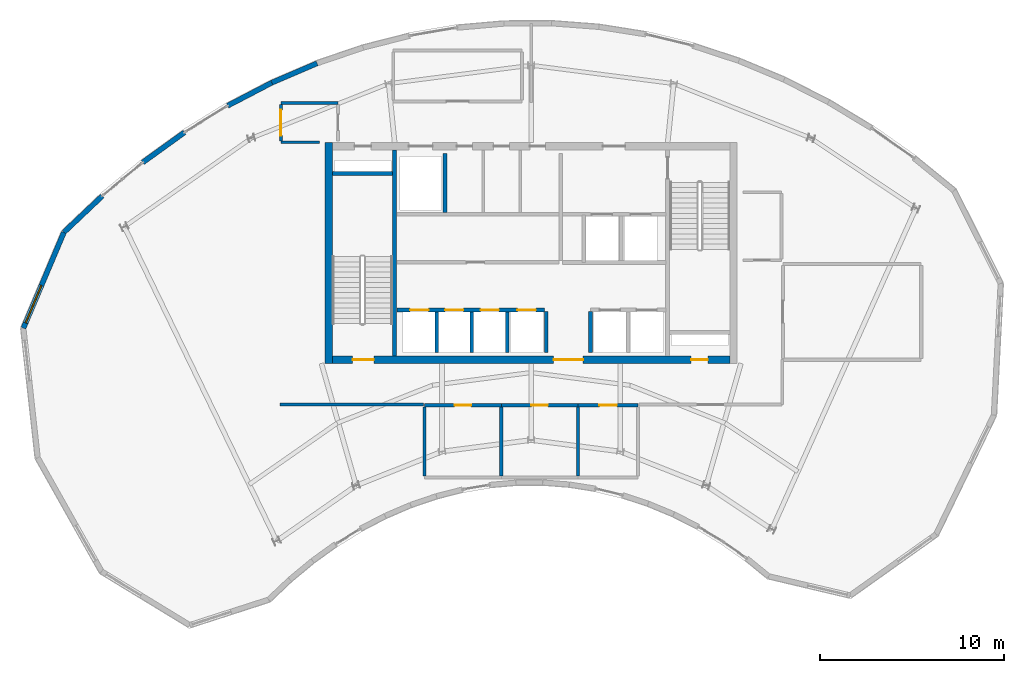
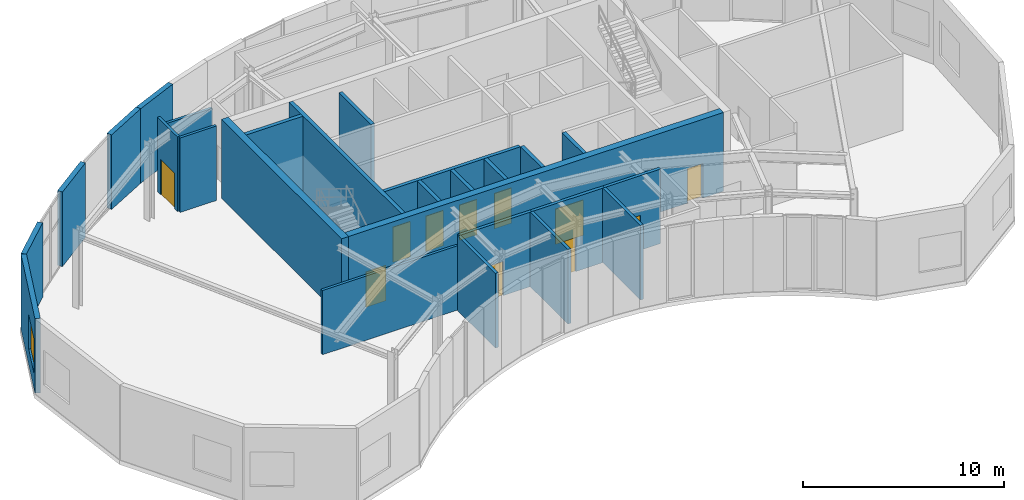
# One storey, part 6 of 10: 26 walls, 11 doors, 1 window, 12 openings.
"""IFC4 building model written with IfcOpenShell, lengths in metres."""

from ifc_helpers import new_model, si_unit, direction, frame, frame_2d, origin, place, context, subcontext, project, spatial, rectangle, extrude, source, transform, mapped, material, layer, layer_set, type_object, type_shapes, element, fill, save


model = new_model("IFC4")

# Units and contexts
model_context = context("Model", 3, precision=1e-05, world=origin(), true_north=direction((0.0, 1.0)))
body_context = subcontext(model_context, "Body", "Model", "MODEL_VIEW")
ifc_project = project(units=[si_unit("LENGTHUNIT", "METRE"), si_unit("AREAUNIT", "SQUARE_METRE"), si_unit("VOLUMEUNIT", "CUBIC_METRE"), si_unit("PLANEANGLEUNIT", "RADIAN"), si_unit("MASSUNIT", "GRAM", prefix="KILO")], contexts=[model_context])

# Site, building, storey
site_placement = place(None, origin())
site = spatial("IfcSite", under=ifc_project, at=site_placement, CompositionType="ELEMENT")
building_placement = place(site_placement, origin())
building = spatial("IfcBuilding", under=site, at=building_placement, Name="Breltana Convention Tower", CompositionType="ELEMENT")
storey_placement = place(building_placement, frame((0.0, 0.0, 303.0)))
storey = spatial("IfcBuildingStorey", under=building, at=storey_placement, Name="L74", CompositionType="ELEMENT", Elevation=303.0)

# Walls
ifc_material_1 = material(Name="Concrete C50/60", Category="concrete")
ifc_layer_1 = layer(ifc_material_1, 0.39990234375, Name="Concrete C50/60")
ifc_layer_set_1 = layer_set([ifc_layer_1], Name="Concrete C50/60")
wall_type_1 = type_object("IfcWallType", Name="SW-CORE-400", PredefinedType="SHEAR", material=ifc_layer_set_1)
shared_shape_1 = source(origin(), body_context, "Body", "SweptSolid", [
    extrude(rectangle(XDim=3.27001953125, YDim=0.219970703125, at=frame_2d((1.635009765625, 0.0))), origin(), (0.0, 0.0, 1.0), 4.800048828125),
])
wall_1_placement = place(storey_placement, frame((37.199951171875, 70.510009765625, 0.0), z_axis=(0.0, 0.0, 1.0), x_axis=(1.0, 0.0, 0.0)))
element("IfcWall", 1, at=wall_1_placement, inside=storey, type_object=wall_type_1, Name="L74 ST-1 Stairwell North Bearing Wall", PredefinedType="SHEAR", context=body_context, shape_type="MappedRepresentation", body=[
    mapped(shared_shape_1, transform((0.0, 0.0, 0.0), scale=1.0)),
])
shared_shape_2 = source(origin(), body_context, "Body", "SweptSolid", [
    extrude(rectangle(XDim=12.0, YDim=0.39990234375, at=frame_2d((6.0, 0.0))), origin(), (0.0, 0.0, 1.0), 4.800048828125),
])
wall_2_placement = place(storey_placement, frame((37.0, 60.199951171875, 0.0), z_axis=(0.0, 0.0, 1.0), x_axis=(0.0, 1.0, 0.0)))
element("IfcWall", 2, at=wall_2_placement, inside=storey, type_object=wall_type_1, Name="L74 West Core Shear Wall", PredefinedType="SHEAR", context=body_context, shape_type="MappedRepresentation", body=[
    mapped(shared_shape_2, transform((0.0, 0.0, 0.0), scale=1.0)),
])

# Wall, openings, doors
shared_shape_3 = source(origin(), body_context, "Body", "SweptSolid", [
    extrude(rectangle(XDim=21.60009765625, YDim=0.39990234375, at=frame_2d((10.800048828125, 0.0))), origin(), (0.0, 0.0, 1.0), 4.800048828125),
])
wall_3_placement = place(storey_placement, frame((37.199951171875, 60.39990234375, 0.0), z_axis=(0.0, 0.0, 1.0), x_axis=(1.0, 0.0, 0.0)))
wall_3 = element("IfcWall", 3, at=wall_3_placement, inside=storey, type_object=wall_type_1, Name="L74 South Core Shear Wall", PredefinedType="SHEAR", context=body_context, shape_type="MappedRepresentation", body=[
    mapped(shared_shape_3, transform((0.0, 0.0, 0.0), scale=1.0)),
])
opening_1_placement = place(wall_3_placement, frame((1.10009765625, 0.0, 0.0)))
opening_1 = element("IfcOpeningElement", 4, at=opening_1_placement, cuts=wall_3, Name="Opening D-11", PredefinedType="OPENING", context=body_context, shape_type="SweptSolid", body=[
    extrude(rectangle(XDim=1.14990234375, YDim=2.14990234375, at=frame_2d((0.574951171875, 1.074951171875))), frame((0.0, 0.2099609375, 0.0), z_axis=(0.0, -1.0, 0.0), x_axis=(1.0, 0.0, 0.0)), (0.0, 0.0, 1.0), 0.419921875),
])
opening_2_placement = place(wall_3_placement, frame((19.5, 0.0, 0.0)))
opening_2 = element("IfcOpeningElement", 5, at=opening_2_placement, cuts=wall_3, Name="Opening D-18", PredefinedType="OPENING", context=body_context, shape_type="SweptSolid", body=[
    extrude(rectangle(XDim=0.89990234375, YDim=2.10009765625, at=frame_2d((0.449951171875, 1.050048828125))), frame((0.0, 0.2099609375, 0.0), z_axis=(0.0, -1.0, 0.0), x_axis=(1.0, 0.0, 0.0)), (0.0, 0.0, 1.0), 0.419921875),
])
opening_3_placement = place(wall_3_placement, frame((12.02001953125, 0.0, 0.0)))
opening_3 = element("IfcOpeningElement", 6, at=opening_3_placement, cuts=wall_3, Name="Opening D-02", PredefinedType="OPENING", context=body_context, shape_type="SweptSolid", body=[
    extrude(rectangle(XDim=1.60009765625, YDim=2.14990234375, at=frame_2d((0.800048828125, 1.074951171875))), frame((0.0, 0.2099609375, 0.0), z_axis=(0.0, -1.0, 0.0), x_axis=(1.0, 0.0, 0.0)), (0.0, 0.0, 1.0), 0.419921875),
])
ifc_material_2 = material(Name="Steel Stair Exit Door", Category="steel")
door_type_1 = type_object("IfcDoorType", Name="DR-FD120-1150", OperationType="NOTDEFINED", PredefinedType="DOOR", material=ifc_material_2)
shared_shape_4 = source(origin(), body_context, "Body", "SweptSolid", [
    extrude(rectangle(XDim=1.14990234375, YDim=2.14990234375, at=frame_2d((0.574951171875, 1.074951171875))), frame((0.0, 0.02490234375, 0.0), z_axis=(0.0, -1.0, 0.0), x_axis=(1.0, 0.0, 0.0)), (0.0, 0.0, 1.0), 0.050048828125),
])
type_shapes(door_type_1, [shared_shape_4])
door_1_placement = place(opening_1_placement, origin())
door_1 = element("IfcDoor", 7, at=door_1_placement, inside=storey, type_object=door_type_1, Name="L74 interior door D-L74-ST1", OperationType="SINGLE_SWING_LEFT", OverallHeight=2.14990234375, OverallWidth=1.14990234375, PredefinedType="DOOR", context=body_context, shape_type="MappedRepresentation", body=[
    mapped(shared_shape_4, transform((0.0, 0.0, 0.0), scale=1.0)),
])
fill(opening_1, door_1)
ifc_material_3 = material(Name="Steel Riser Fire Door", Category="steel")
door_type_2 = type_object("IfcDoorType", Name="DR-FD60-900", OperationType="NOTDEFINED", PredefinedType="DOOR", material=ifc_material_3)
shared_shape_5 = source(origin(), body_context, "Body", "SweptSolid", [
    extrude(rectangle(XDim=0.89990234375, YDim=2.10009765625, at=frame_2d((0.449951171875, 1.050048828125))), frame((0.0, 0.02490234375, 0.0), z_axis=(0.0, -1.0, 0.0), x_axis=(1.0, 0.0, 0.0)), (0.0, 0.0, 1.0), 0.050048828125),
])
type_shapes(door_type_2, [shared_shape_5])
door_2_placement = place(opening_2_placement, origin())
door_2 = element("IfcDoor", 8, at=door_2_placement, inside=storey, type_object=door_type_2, Name="L74 Core Riser Access Door D-L74-RS2", OperationType="SINGLE_SWING_RIGHT", OverallHeight=2.10009765625, OverallWidth=0.89990234375, PredefinedType="DOOR", context=body_context, shape_type="MappedRepresentation", body=[
    mapped(shared_shape_5, transform((0.0, 0.0, 0.0), scale=1.0)),
])
fill(opening_2, door_2)
ifc_material_4 = material(Name="Steel Glazed Smoke-Control Door", Category="steel")
door_type_3 = type_object("IfcDoorType", Name="DR-DBL-FD90-1600", OperationType="DOUBLE_DOOR_SINGLE_SWING", PredefinedType="DOOR", material=ifc_material_4)
shared_shape_6 = source(origin(), body_context, "Body", "SweptSolid", [
    extrude(rectangle(XDim=1.60009765625, YDim=2.14990234375, at=frame_2d((0.800048828125, 1.074951171875))), frame((0.0, 0.02490234375, 0.0), z_axis=(0.0, -1.0, 0.0), x_axis=(1.0, 0.0, 0.0)), (0.0, 0.0, 1.0), 0.050048828125),
])
type_shapes(door_type_3, [shared_shape_6])
door_3_placement = place(opening_3_placement, origin())
door_3 = element("IfcDoor", 9, at=door_3_placement, inside=storey, type_object=door_type_3, Name="L74 interior door D-L74-LLB-S", OperationType="DOUBLE_DOOR_SINGLE_SWING", OverallHeight=2.14990234375, OverallWidth=1.60009765625, PredefinedType="DOOR", context=body_context, shape_type="MappedRepresentation", body=[
    mapped(shared_shape_6, transform((0.0, 0.0, 0.0), scale=1.0)),
])
fill(opening_3, door_3)

# Wall
shared_shape_7 = source(origin(), body_context, "Body", "SweptSolid", [
    extrude(rectangle(XDim=11.199951171875, YDim=0.219970703125, at=frame_2d((5.60009765625, 0.0))), origin(), (0.0, 0.0, 1.0), 4.800048828125),
])
wall_4_placement = place(storey_placement, frame((40.580078125, 60.60009765625, 0.0), z_axis=(0.0, 0.0, 1.0), x_axis=(0.0, 1.0, 0.0)))
element("IfcWall", 10, at=wall_4_placement, inside=storey, type_object=wall_type_1, Name="L74 Core West Stair Spine Wall", PredefinedType="SHEAR", context=body_context, shape_type="MappedRepresentation", body=[
    mapped(shared_shape_7, transform((0.0, 0.0, 0.0), scale=1.0)),
])

# Wall, opening, window
ifc_material_5 = material(Name="Limestone Buff Insulated Wall", Category="masonry")
ifc_layer_2 = layer(ifc_material_5, 0.280029296875, Name="Limestone Buff Insulated Wall")
ifc_layer_set_2 = layer_set([ifc_layer_2], Name="Limestone Buff Insulated Wall")
wall_type_2 = type_object("IfcWallType", Name="WL-EXT-NOSE-280", PredefinedType="SOLIDWALL", material=ifc_layer_set_2)
shared_shape_8 = source(origin(), body_context, "Body", "SweptSolid", [
    extrude(rectangle(XDim=5.655029296875, YDim=0.280029296875, at=frame_2d((2.82763671875, 0.0))), origin(), (0.0, 0.0, 1.0), 4.5400390625),
])
wall_5_placement = place(storey_placement, frame((20.40087890625, 62.11572265625, 0.0), z_axis=(0.0, 0.0, 1.0), x_axis=(0.389585063528, 0.920990487614, 0.0)))
wall_5 = element("IfcWall", 11, at=wall_5_placement, inside=storey, type_object=wall_type_2, Name="L74 curved limestone nose wall W6", PredefinedType="SOLIDWALL", context=body_context, shape_type="MappedRepresentation", body=[
    mapped(shared_shape_8, transform((0.0, 0.0, 0.0), scale=1.0)),
])
opening_4_placement = place(wall_5_placement, frame((0.313720703125, 0.0, 0.949951171875)))
opening_4 = element("IfcOpeningElement", 12, at=opening_4_placement, cuts=wall_5, Name="Opening W-03", PredefinedType="OPENING", context=body_context, shape_type="SweptSolid", body=[
    extrude(rectangle(XDim=2.199951171875, YDim=2.10009765625, at=frame_2d((1.10009765625, 1.050048828125))), frame((0.0, 0.14990234375, 0.0), z_axis=(0.0, -1.0, 0.0), x_axis=(1.0, 0.0, 0.0)), (0.0, 0.0, 1.0), 0.300048828125),
])
ifc_material_6 = material(Name="Glass Low-E Insulated Window", Category="glass")
window_type = type_object("IfcWindowType", Name="WN-NOSE-2200X2100", PartitioningType="TRIPLE_PANEL_VERTICAL", PredefinedType="WINDOW", material=ifc_material_6)
shared_shape_9 = source(origin(), body_context, "Body", "SweptSolid", [
    extrude(rectangle(XDim=2.199951171875, YDim=2.10009765625, at=frame_2d((1.10009765625, 1.050048828125))), frame((0.0, 0.030029296875, 0.0), z_axis=(0.0, -1.0, 0.0), x_axis=(1.0, 0.0, 0.0)), (0.0, 0.0, 1.0), 0.06005859375),
])
type_shapes(window_type, [shared_shape_9])
window_placement = place(opening_4_placement, origin())
window = element("IfcWindow", 13, at=window_placement, inside=storey, type_object=window_type, Name="L74 nose window W6", OverallHeight=2.10009765625, OverallWidth=2.199951171875, PartitioningType="TRIPLE_PANEL_VERTICAL", PredefinedType="WINDOW", context=body_context, shape_type="MappedRepresentation", body=[
    mapped(shared_shape_9, transform((0.0, 0.0, 0.0), scale=1.0)),
])
fill(opening_4, window)

# Walls
shared_shape_10 = source(origin(), body_context, "Body", "SweptSolid", [
    extrude(rectangle(XDim=2.87255859375, YDim=0.280029296875, at=frame_2d((1.436279296875, 0.0))), origin(), (0.0, 0.0, 1.0), 4.5400390625),
])
wall_6_placement = place(storey_placement, frame((22.60400390625, 67.323974609375, 0.0), z_axis=(0.0, 0.0, 1.0), x_axis=(0.72609560544, 0.687593754888, 0.0)))
element("IfcWall", 14, at=wall_6_placement, inside=storey, type_object=wall_type_2, Name="L74 curved limestone nose wall W7", PredefinedType="SOLIDWALL", context=body_context, shape_type="MappedRepresentation", body=[
    mapped(shared_shape_10, transform((0.0, 0.0, 0.0), scale=1.0)),
])
shared_shape_11 = source(origin(), body_context, "Body", "SweptSolid", [
    extrude(rectangle(XDim=2.8017578125, YDim=0.280029296875, at=frame_2d((1.40087890625, 0.0))), origin(), (0.0, 0.0, 1.0), 4.5400390625),
])
wall_7_placement = place(storey_placement, frame((26.88525390625, 71.11962890625, 0.0), z_axis=(0.0, 0.0, 1.0), x_axis=(0.811507896482, 0.584341453217, 0.0)))
element("IfcWall", 15, at=wall_7_placement, inside=storey, type_object=wall_type_2, Name="L74 curved limestone nose wall E20", PredefinedType="SOLIDWALL", context=body_context, shape_type="MappedRepresentation", body=[
    mapped(shared_shape_11, transform((0.0, 0.0, 0.0), scale=1.0)),
])
shared_shape_12 = source(origin(), body_context, "Body", "SweptSolid", [
    extrude(rectangle(XDim=2.71142578125, YDim=0.280029296875, at=frame_2d((1.355712890625, 0.0))), origin(), (0.0, 0.0, 1.0), 4.5400390625),
])
wall_8_placement = place(storey_placement, frame((31.50244140625, 74.20458984375, 0.0), z_axis=(0.0, 0.0, 1.0), x_axis=(0.886828760751, 0.462098202881, 0.0)))
element("IfcWall", 16, at=wall_8_placement, inside=storey, type_object=wall_type_2, Name="L74 curved limestone nose wall E21", PredefinedType="SOLIDWALL", context=body_context, shape_type="MappedRepresentation", body=[
    mapped(shared_shape_12, transform((0.0, 0.0, 0.0), scale=1.0)),
])
shared_shape_13 = source(origin(), body_context, "Body", "SweptSolid", [
    extrude(rectangle(XDim=2.67333984375, YDim=0.280029296875, at=frame_2d((1.336669921875, 0.0))), origin(), (0.0, 0.0, 1.0), 4.5400390625),
])
wall_9_placement = place(storey_placement, frame((33.906982421875, 75.45751953125, 0.0), z_axis=(0.0, 0.0, 1.0), x_axis=(0.919036345912, 0.394172798266, 0.0)))
element("IfcWall", 17, at=wall_9_placement, inside=storey, type_object=wall_type_2, Name="L74 curved limestone nose wall E22", PredefinedType="SOLIDWALL", context=body_context, shape_type="MappedRepresentation", body=[
    mapped(shared_shape_13, transform((0.0, 0.0, 0.0), scale=1.0)),
])
ifc_material_7 = material(Name="Autoclaved Aerated Concrete Block", Category="concrete")
ifc_layer_3 = layer(ifc_material_7, 0.199951171875, Name="Autoclaved Aerated Concrete Block")
ifc_layer_set_3 = layer_set([ifc_layer_3], Name="Autoclaved Aerated Concrete Block")
wall_type_3 = type_object("IfcWallType", Name="WL-SHAFT-200", PredefinedType="SOLIDWALL", material=ifc_layer_set_3)
shared_shape_14 = source(origin(), body_context, "Body", "SweptSolid", [
    extrude(rectangle(XDim=2.239990234375, YDim=0.199951171875, at=frame_2d((1.1201171875, 0.0))), origin(), (0.0, 0.0, 1.0), 4.5400390625),
])
for number, where, z_axis, x_axis, name in (
    (18, (48.820068359375, 60.780029296875, 0.0), (0.0, 0.0, 1.0), (0.0, 1.0, 0.0), "L74 interior partition W-L74-PORT-W"),
    (19, (51.219970703125, 60.780029296875, 0.0), (0.0, 0.0, 1.0), (0.0, 1.0, 0.0), "L74 interior partition W-L74-PORT-E"),
):
    element("IfcWall", number, at=place(storey_placement, frame(where, z_axis=z_axis, x_axis=x_axis)), inside=storey, type_object=wall_type_3, Name=name, PredefinedType="SOLIDWALL", context=body_context, shape_type="MappedRepresentation", body=[
        mapped(shared_shape_14, transform((0.0, 0.0, 0.0), scale=1.0)),
    ])
shared_shape_15 = source(origin(), body_context, "Body", "SweptSolid", [
    extrude(rectangle(XDim=3.2001953125, YDim=0.199951171875, at=frame_2d((1.60009765625, 0.0))), origin(), (0.0, 0.0, 1.0), 4.5400390625),
])
wall_10_placement = place(storey_placement, frame((43.320068359375, 68.39990234375, 0.0), z_axis=(0.0, 0.0, 1.0), x_axis=(0.0, 1.0, 0.0)))
element("IfcWall", 20, at=wall_10_placement, inside=storey, type_object=wall_type_3, Name="L74 interior partition W-L74-SV-E", PredefinedType="SOLIDWALL", context=body_context, shape_type="MappedRepresentation", body=[
    mapped(shared_shape_15, transform((0.0, 0.0, 0.0), scale=1.0)),
])

# Wall, openings, doors
shared_shape_16 = source(origin(), body_context, "Body", "SweptSolid", [
    extrude(rectangle(XDim=8.02001953125, YDim=0.199951171875, at=frame_2d((4.010009765625, 0.0))), origin(), (0.0, 0.0, 1.0), 4.5400390625),
])
wall_11_placement = place(storey_placement, frame((40.699951171875, 63.10009765625, 0.0), z_axis=(0.0, 0.0, 1.0), x_axis=(1.0, 0.0, 0.0)))
wall_11 = element("IfcWall", 21, at=wall_11_placement, inside=storey, type_object=wall_type_3, Name="L74 interior partition W-L74-SH-S-FRONT", PredefinedType="SOLIDWALL", context=body_context, shape_type="MappedRepresentation", body=[
    mapped(shared_shape_16, transform((0.0, 0.0, 0.0), scale=1.0)),
])
opening_5_placement = place(wall_11_placement, frame((0.719970703125, 0.0, 0.0)))
opening_5 = element("IfcOpeningElement", 22, at=opening_5_placement, cuts=wall_11, Name="Opening LD-04", PredefinedType="OPENING", context=body_context, shape_type="SweptSolid", body=[
    extrude(rectangle(XDim=1.0, YDim=2.14990234375, at=frame_2d((0.5, 1.074951171875))), frame((0.0, 0.10986328125, 0.0), z_axis=(0.0, -1.0, 0.0), x_axis=(1.0, 0.0, 0.0)), (0.0, 0.0, 1.0), 0.219970703125),
])
opening_6_placement = place(wall_11_placement, frame((2.6201171875, 0.0, 0.0)))
opening_6 = element("IfcOpeningElement", 23, at=opening_6_placement, cuts=wall_11, Name="Opening LD-04", PredefinedType="OPENING", context=body_context, shape_type="SweptSolid", body=[
    extrude(rectangle(XDim=1.0, YDim=2.14990234375, at=frame_2d((0.5, 1.074951171875))), frame((0.0, 0.10986328125, 0.0), z_axis=(0.0, -1.0, 0.0), x_axis=(1.0, 0.0, 0.0)), (0.0, 0.0, 1.0), 0.219970703125),
])
opening_7_placement = place(wall_11_placement, frame((4.550048828125, 0.0, 0.0)))
opening_7 = element("IfcOpeningElement", 24, at=opening_7_placement, cuts=wall_11, Name="Opening LD-04", PredefinedType="OPENING", context=body_context, shape_type="SweptSolid", body=[
    extrude(rectangle(XDim=1.0, YDim=2.14990234375, at=frame_2d((0.5, 1.074951171875))), frame((0.0, 0.10986328125, 0.0), z_axis=(0.0, -1.0, 0.0), x_axis=(1.0, 0.0, 0.0)), (0.0, 0.0, 1.0), 0.219970703125),
])
opening_8_placement = place(wall_11_placement, frame((6.550048828125, 0.0, 0.0)))
opening_8 = element("IfcOpeningElement", 25, at=opening_8_placement, cuts=wall_11, Name="Opening LD-04", PredefinedType="OPENING", context=body_context, shape_type="SweptSolid", body=[
    extrude(rectangle(XDim=1.0, YDim=2.14990234375, at=frame_2d((0.5, 1.074951171875))), frame((0.0, 0.10986328125, 0.0), z_axis=(0.0, -1.0, 0.0), x_axis=(1.0, 0.0, 0.0)), (0.0, 0.0, 1.0), 0.219970703125),
])
ifc_material_8 = material(Name="Stainless Steel Brushed", Category="steel")
door_type_4 = type_object("IfcDoorType", Name="DR-LD-PAX-1000", OperationType="DOUBLE_DOOR_SLIDING", PredefinedType="DOOR", material=ifc_material_8)
shared_shape_17 = source(origin(), body_context, "Body", "SweptSolid", [
    extrude(rectangle(XDim=1.0, YDim=2.14990234375, at=frame_2d((0.5, 1.074951171875))), frame((0.0, 0.02490234375, 0.0), z_axis=(0.0, -1.0, 0.0), x_axis=(1.0, 0.0, 0.0)), (0.0, 0.0, 1.0), 0.050048828125),
])
type_shapes(door_type_4, [shared_shape_17])
door_4_placement = place(opening_5_placement, origin())
door_4 = element("IfcDoor", 26, at=door_4_placement, inside=storey, type_object=door_type_4, Name="L74 Lift Landing Door D-L74-LD-S1", OperationType="DOUBLE_DOOR_SLIDING", OverallHeight=2.14990234375, OverallWidth=1.0, PredefinedType="DOOR", context=body_context, shape_type="MappedRepresentation", body=[
    mapped(shared_shape_17, transform((0.0, 0.0, 0.0), scale=1.0)),
])
fill(opening_5, door_4)
door_5_placement = place(opening_6_placement, origin())
door_5 = element("IfcDoor", 27, at=door_5_placement, inside=storey, type_object=door_type_4, Name="L74 Lift Landing Door D-L74-LD-S2", OperationType="DOUBLE_DOOR_SLIDING", OverallHeight=2.14990234375, OverallWidth=1.0, PredefinedType="DOOR", context=body_context, shape_type="MappedRepresentation", body=[
    mapped(shared_shape_17, transform((0.0, 0.0, 0.0), scale=1.0)),
])
fill(opening_6, door_5)
door_6_placement = place(opening_7_placement, origin())
door_6 = element("IfcDoor", 28, at=door_6_placement, inside=storey, type_object=door_type_4, Name="L74 Lift Landing Door D-L74-LD-S3", OperationType="DOUBLE_DOOR_SLIDING", OverallHeight=2.14990234375, OverallWidth=1.0, PredefinedType="DOOR", context=body_context, shape_type="MappedRepresentation", body=[
    mapped(shared_shape_17, transform((0.0, 0.0, 0.0), scale=1.0)),
])
fill(opening_7, door_6)
door_7_placement = place(opening_8_placement, origin())
door_7 = element("IfcDoor", 29, at=door_7_placement, inside=storey, type_object=door_type_4, Name="L74 Lift Landing Door D-L74-LD-S4", OperationType="DOUBLE_DOOR_SLIDING", OverallHeight=2.14990234375, OverallWidth=1.0, PredefinedType="DOOR", context=body_context, shape_type="MappedRepresentation", body=[
    mapped(shared_shape_17, transform((0.0, 0.0, 0.0), scale=1.0)),
])
fill(opening_8, door_7)

# Walls
shared_shape_18 = source(origin(), body_context, "Body", "SweptSolid", [
    extrude(rectangle(XDim=2.199951171875, YDim=0.199951171875, at=frame_2d((1.10009765625, 0.0))), origin(), (0.0, 0.0, 1.0), 4.5400390625),
])
for number, where, z_axis, x_axis, name in (
    (30, (42.8701171875, 60.800048828125, 0.0), (0.0, 0.0, 1.0), (0.0, 1.0, 0.0), "L74 interior partition W-L74-SH-S-DIV1"),
    (31, (44.77001953125, 60.800048828125, 0.0), (0.0, 0.0, 1.0), (0.0, 1.0, 0.0), "L74 interior partition W-L74-SH-S-DIV2"),
    (32, (46.699951171875, 60.800048828125, 0.0), (0.0, 0.0, 1.0), (0.0, 1.0, 0.0), "L74 interior partition W-L74-SH-S-DIV3"),
):
    element("IfcWall", number, at=place(storey_placement, frame(where, z_axis=z_axis, x_axis=x_axis)), inside=storey, type_object=wall_type_3, Name=name, PredefinedType="SOLIDWALL", context=body_context, shape_type="MappedRepresentation", body=[
        mapped(shared_shape_18, transform((0.0, 0.0, 0.0), scale=1.0)),
    ])
ifc_material_9 = material(Name="Gypsum Acoustic Drywall Partition")
ifc_layer_4 = layer(ifc_material_9, 0.14990234375, Name="Gypsum Acoustic Drywall Partition")
ifc_layer_set_4 = layer_set([ifc_layer_4], Name="Gypsum Acoustic Drywall Partition")
wall_type_4 = type_object("IfcWallType", Name="WL-PART-150", PredefinedType="PARTITIONING", material=ifc_layer_set_4)
shared_shape_19 = source(origin(), body_context, "Body", "SweptSolid", [
    extrude(rectangle(XDim=2.10009765625, YDim=0.14990234375, at=frame_2d((1.050048828125, 0.0))), origin(), (0.0, 0.0, 1.0), 4.5400390625),
])
wall_12_placement = place(storey_placement, frame((34.39990234375, 72.219970703125, 0.0), z_axis=(0.0, 0.0, 1.0), x_axis=(1.0, 0.0, 0.0)))
element("IfcWall", 33, at=wall_12_placement, inside=storey, type_object=wall_type_4, Name="L74 interior partition W-L74-CRNE-S", PredefinedType="PARTITIONING", context=body_context, shape_type="MappedRepresentation", body=[
    mapped(shared_shape_19, transform((0.0, 0.0, 0.0), scale=1.0)),
])

# Wall, opening, door
shared_shape_20 = source(origin(), body_context, "Body", "SweptSolid", [
    extrude(rectangle(XDim=1.994873046875, YDim=0.14990234375, at=frame_2d((0.99755859375, 0.0))), origin(), (0.0, 0.0, 1.0), 4.5400390625),
])
wall_13_placement = place(storey_placement, frame((34.39990234375, 72.28759765625, 0.0), z_axis=(0.0, 0.0, 1.0), x_axis=(0.0, 1.0, 0.0)))
wall_13 = element("IfcWall", 34, at=wall_13_placement, inside=storey, type_object=wall_type_4, Name="L74 interior partition W-L74-CRNE-W", PredefinedType="PARTITIONING", context=body_context, shape_type="MappedRepresentation", body=[
    mapped(shared_shape_20, transform((0.0, 0.0, 0.0), scale=1.0)),
])
opening_9_placement = place(wall_13_placement, frame((0.297607421875, 0.0, 0.0)))
opening_9 = element("IfcOpeningElement", 35, at=opening_9_placement, cuts=wall_13, Name="Opening D-05", PredefinedType="OPENING", context=body_context, shape_type="SweptSolid", body=[
    extrude(rectangle(XDim=1.39990234375, YDim=2.14990234375, at=frame_2d((0.699951171875, 1.074951171875))), frame((0.0, 0.0849609375, 0.0), z_axis=(0.0, -1.0, 0.0), x_axis=(1.0, 0.0, 0.0)), (0.0, 0.0, 1.0), 0.169921875),
])
ifc_material_10 = material(Name="Timber Veneer Glazed Double Door", Category="wood")
door_type_5 = type_object("IfcDoorType", Name="DR-DBL-1400", OperationType="DOUBLE_DOOR_SINGLE_SWING", PredefinedType="DOOR", material=ifc_material_10)
shared_shape_21 = source(origin(), body_context, "Body", "SweptSolid", [
    extrude(rectangle(XDim=1.39990234375, YDim=2.14990234375, at=frame_2d((0.699951171875, 1.074951171875))), frame((0.0, 0.02490234375, 0.0), z_axis=(0.0, -1.0, 0.0), x_axis=(1.0, 0.0, 0.0)), (0.0, 0.0, 1.0), 0.050048828125),
])
type_shapes(door_type_5, [shared_shape_21])
door_8_placement = place(opening_9_placement, origin())
door_8 = element("IfcDoor", 36, at=door_8_placement, inside=storey, type_object=door_type_5, Name="L74 interior door D-L74-SRST", OperationType="SINGLE_SWING_LEFT", OverallHeight=2.14990234375, OverallWidth=1.39990234375, PredefinedType="DOOR", context=body_context, shape_type="MappedRepresentation", body=[
    mapped(shared_shape_21, transform((0.0, 0.0, 0.0), scale=1.0)),
])
fill(opening_9, door_8)

ifc_material_11 = material(Name="Moisture-Resistant Gypsum Chase Wall")
ifc_layer_5 = layer(ifc_material_11, 0.179931640625, Name="Moisture-Resistant Gypsum Chase Wall")
ifc_layer_set_5 = layer_set([ifc_layer_5], Name="Moisture-Resistant Gypsum Chase Wall")
wall_type_5 = type_object("IfcWallType", Name="WL-PLUMB-180", PredefinedType="PLUMBINGWALL", material=ifc_layer_set_5)
shared_shape_22 = source(origin(), body_context, "Body", "SweptSolid", [
    extrude(rectangle(XDim=4.176025390625, YDim=0.179931640625, at=frame_2d((2.087890625, 0.0))), origin(), (0.0, 0.0, 1.0), 4.5400390625),
])
wall_14_placement = place(storey_placement, frame((42.199951171875, 57.919921875, 0.0), z_axis=(0.0, 0.0, 1.0), x_axis=(1.0, 0.0, 0.0)))
wall_14 = element("IfcWall", 37, at=wall_14_placement, inside=storey, type_object=wall_type_5, Name="L74 interior partition W-L74-WCM-N", PredefinedType="PLUMBINGWALL", context=body_context, shape_type="MappedRepresentation", body=[
    mapped(shared_shape_22, transform((0.0, 0.0, 0.0), scale=1.0)),
])
opening_10_placement = place(wall_14_placement, frame((1.637939453125, 0.0, 0.0)))
opening_10 = element("IfcOpeningElement", 38, at=opening_10_placement, cuts=wall_14, Name="Opening D-19", PredefinedType="OPENING", context=body_context, shape_type="SweptSolid", body=[
    extrude(rectangle(XDim=0.89990234375, YDim=2.080078125, at=frame_2d((0.449951171875, 1.0400390625))), frame((0.0, 0.10009765625, 0.0), z_axis=(0.0, -1.0, 0.0), x_axis=(1.0, 0.0, 0.0)), (0.0, 0.0, 1.0), 0.199951171875),
])
ifc_material_12 = material(Name="Timber Moisture-Resistant Door", Category="wood")
door_type_6 = type_object("IfcDoorType", Name="DR-WC-900", OperationType="NOTDEFINED", PredefinedType="DOOR", material=ifc_material_12)
shared_shape_23 = source(origin(), body_context, "Body", "SweptSolid", [
    extrude(rectangle(XDim=0.89990234375, YDim=2.080078125, at=frame_2d((0.449951171875, 1.0400390625))), frame((0.0, 0.02490234375, 0.0), z_axis=(0.0, -1.0, 0.0), x_axis=(1.0, 0.0, 0.0)), (0.0, 0.0, 1.0), 0.050048828125),
])
type_shapes(door_type_6, [shared_shape_23])
door_9_placement = place(opening_10_placement, origin())
door_9 = element("IfcDoor", 39, at=door_9_placement, inside=storey, type_object=door_type_6, Name="L74 interior door D-L74-WCM", OperationType="SINGLE_SWING_RIGHT", OverallHeight=2.080078125, OverallWidth=0.89990234375, PredefinedType="DOOR", context=body_context, shape_type="MappedRepresentation", body=[
    mapped(shared_shape_23, transform((0.0, 0.0, 0.0), scale=1.0)),
])
fill(opening_10, door_9)

wall_15_placement = place(storey_placement, frame((46.3759765625, 57.919921875, 0.0), z_axis=(0.0, 0.0, 1.0), x_axis=(1.0, 0.0, 0.0)))
wall_15 = element("IfcWall", 40, at=wall_15_placement, inside=storey, type_object=wall_type_5, Name="L74 interior partition W-L74-WCF-N", PredefinedType="PLUMBINGWALL", context=body_context, shape_type="MappedRepresentation", body=[
    mapped(shared_shape_22, transform((0.0, 0.0, 0.0), scale=1.0)),
])
opening_11_placement = place(wall_15_placement, frame((1.637939453125, 0.0, 0.0)))
opening_11 = element("IfcOpeningElement", 41, at=opening_11_placement, cuts=wall_15, Name="Opening D-19", PredefinedType="OPENING", context=body_context, shape_type="SweptSolid", body=[
    extrude(rectangle(XDim=0.89990234375, YDim=2.080078125, at=frame_2d((0.449951171875, 1.0400390625))), frame((0.0, 0.10009765625, 0.0), z_axis=(0.0, -1.0, 0.0), x_axis=(1.0, 0.0, 0.0)), (0.0, 0.0, 1.0), 0.199951171875),
])
door_10_placement = place(opening_11_placement, origin())
door_10 = element("IfcDoor", 42, at=door_10_placement, inside=storey, type_object=door_type_6, Name="L74 interior door D-L74-WCF", OperationType="SINGLE_SWING_LEFT", OverallHeight=2.080078125, OverallWidth=0.89990234375, PredefinedType="DOOR", context=body_context, shape_type="MappedRepresentation", body=[
    mapped(shared_shape_23, transform((0.0, 0.0, 0.0), scale=1.0)),
])
fill(opening_11, door_10)

# Walls
ifc_material_13 = material(Name="Cement Board Wet-Area Partition")
ifc_layer_6 = layer(ifc_material_13, 0.175048828125, Name="Cement Board Wet-Area Partition")
ifc_layer_set_6 = layer_set([ifc_layer_6], Name="Cement Board Wet-Area Partition")
wall_type_6 = type_object("IfcWallType", Name="WL-WET-175", PredefinedType="PARTITIONING", material=ifc_layer_set_6)
shared_shape_24 = source(origin(), body_context, "Body", "SweptSolid", [
    extrude(rectangle(XDim=3.7626953125, YDim=0.175048828125, at=frame_2d((1.88134765625, 0.0))), origin(), (0.0, 0.0, 1.0), 4.5400390625),
])
for number, where, z_axis, x_axis, name in (
    (43, (42.199951171875, 54.07861328125, 0.0), (0.0, 0.0, 1.0), (0.0, 1.0, 0.0), "L74 interior partition W-L74-WCM-W"),
    (44, (46.3759765625, 54.07861328125, 0.0), (0.0, 0.0, 1.0), (0.0, 1.0, 0.0), "L74 interior partition W-L74-WCM-E"),
    (45, (50.552001953125, 54.07861328125, 0.0), (0.0, 0.0, 1.0), (0.0, 1.0, 0.0), "L74 interior partition W-L74-WCF-E"),
):
    element("IfcWall", number, at=place(storey_placement, frame(where, z_axis=z_axis, x_axis=x_axis)), inside=storey, type_object=wall_type_6, Name=name, PredefinedType="PARTITIONING", context=body_context, shape_type="MappedRepresentation", body=[
        mapped(shared_shape_24, transform((0.0, 0.0, 0.0), scale=1.0)),
    ])

# Wall, opening, door
shared_shape_25 = source(origin(), body_context, "Body", "SweptSolid", [
    extrude(rectangle(XDim=3.248046875, YDim=0.179931640625, at=frame_2d((1.6240234375, 0.0))), origin(), (0.0, 0.0, 1.0), 4.5400390625),
])
wall_16_placement = place(storey_placement, frame((50.552001953125, 57.919921875, 0.0), z_axis=(0.0, 0.0, 1.0), x_axis=(1.0, 0.0, 0.0)))
wall_16 = element("IfcWall", 46, at=wall_16_placement, inside=storey, type_object=wall_type_5, Name="L74 interior partition W-L74-WCA-N", PredefinedType="PLUMBINGWALL", context=body_context, shape_type="MappedRepresentation", body=[
    mapped(shared_shape_25, transform((0.0, 0.0, 0.0), scale=1.0)),
])
opening_12_placement = place(wall_16_placement, frame((1.14892578125, 0.0, 0.0)))
opening_12 = element("IfcOpeningElement", 47, at=opening_12_placement, cuts=wall_16, Name="Opening D-16", PredefinedType="OPENING", context=body_context, shape_type="SweptSolid", body=[
    extrude(rectangle(XDim=0.949951171875, YDim=2.1201171875, at=frame_2d((0.47509765625, 1.06005859375))), frame((0.0, 0.10009765625, 0.0), z_axis=(0.0, -1.0, 0.0), x_axis=(1.0, 0.0, 0.0)), (0.0, 0.0, 1.0), 0.199951171875),
])
ifc_material_14 = material(Name="Timber Laminate Accessible Door", Category="wood")
door_type_7 = type_object("IfcDoorType", Name="DR-ACC-950", OperationType="NOTDEFINED", PredefinedType="DOOR", material=ifc_material_14)
shared_shape_26 = source(origin(), body_context, "Body", "SweptSolid", [
    extrude(rectangle(XDim=0.949951171875, YDim=2.1201171875, at=frame_2d((0.47509765625, 1.06005859375))), frame((0.0, 0.02490234375, 0.0), z_axis=(0.0, -1.0, 0.0), x_axis=(1.0, 0.0, 0.0)), (0.0, 0.0, 1.0), 0.050048828125),
])
type_shapes(door_type_7, [shared_shape_26])
door_11_placement = place(opening_12_placement, origin())
door_11 = element("IfcDoor", 48, at=door_11_placement, inside=storey, type_object=door_type_7, Name="L74 interior door D-L74-WCA", OperationType="SINGLE_SWING_RIGHT", OverallHeight=2.1201171875, OverallWidth=0.949951171875, PredefinedType="DOOR", context=body_context, shape_type="MappedRepresentation", body=[
    mapped(shared_shape_26, transform((0.0, 0.0, 0.0), scale=1.0)),
])
fill(opening_12, door_11)

# Walls
shared_shape_27 = source(origin(), body_context, "Body", "SweptSolid", [
    extrude(rectangle(XDim=3.10009765625, YDim=0.14990234375, at=frame_2d((1.550048828125, 0.0))), origin(), (0.0, 0.0, 1.0), 3.970947265625),
])
wall_17_placement = place(storey_placement, frame((34.39990234375, 74.35009765625, 0.0), z_axis=(0.0, 0.0, 1.0), x_axis=(1.0, 0.0, 0.0)))
element("IfcWall", 49, at=wall_17_placement, inside=storey, type_object=wall_type_4, Name="L74 interior partition W-L74-CRNE-N", PredefinedType="PARTITIONING", context=body_context, shape_type="MappedRepresentation", body=[
    mapped(shared_shape_27, transform((0.0, 0.0, 0.0), scale=1.0)),
])
shared_shape_28 = source(origin(), body_context, "Body", "SweptSolid", [
    extrude(rectangle(XDim=7.789794921875, YDim=0.14990234375, at=frame_2d((3.89501953125, 0.0))), origin(), (0.0, 0.0, 1.0), 3.912109375),
])
wall_18_placement = place(storey_placement, frame((34.360107421875, 57.9599609375, 0.0), z_axis=(0.0, 0.0, 1.0), x_axis=(1.0, 0.0, 0.0)))
element("IfcWall", 50, at=wall_18_placement, inside=storey, type_object=wall_type_4, Name="L74 interior partition W-L74-L74-SW", PredefinedType="PARTITIONING", context=body_context, shape_type="MappedRepresentation", body=[
    mapped(shared_shape_28, transform((0.0, 0.0, 0.0), scale=1.0)),
])

save(model, "model.ifc")
